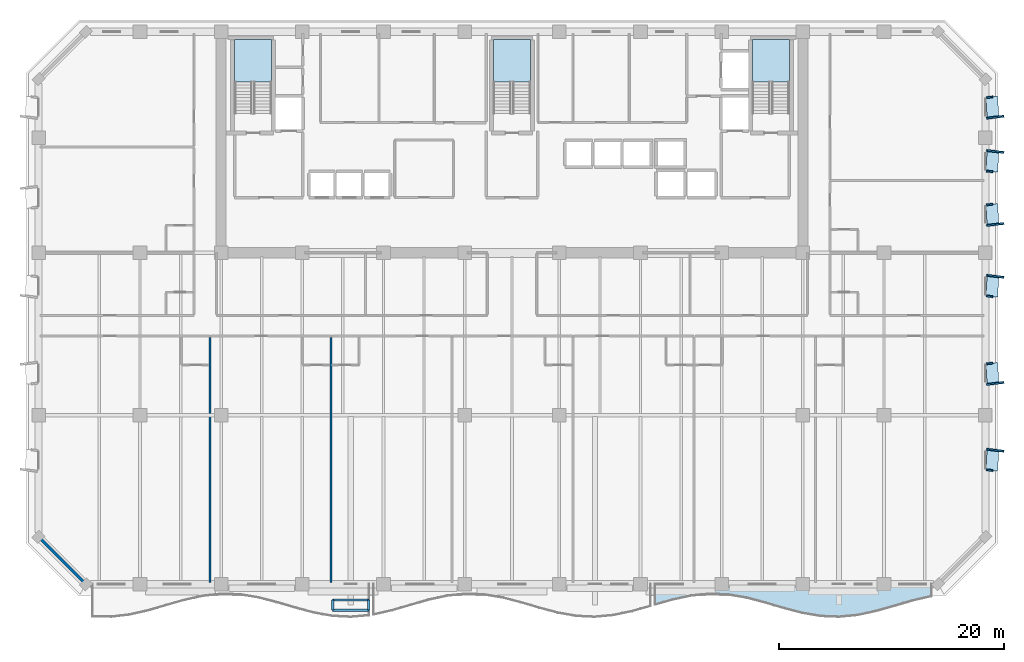
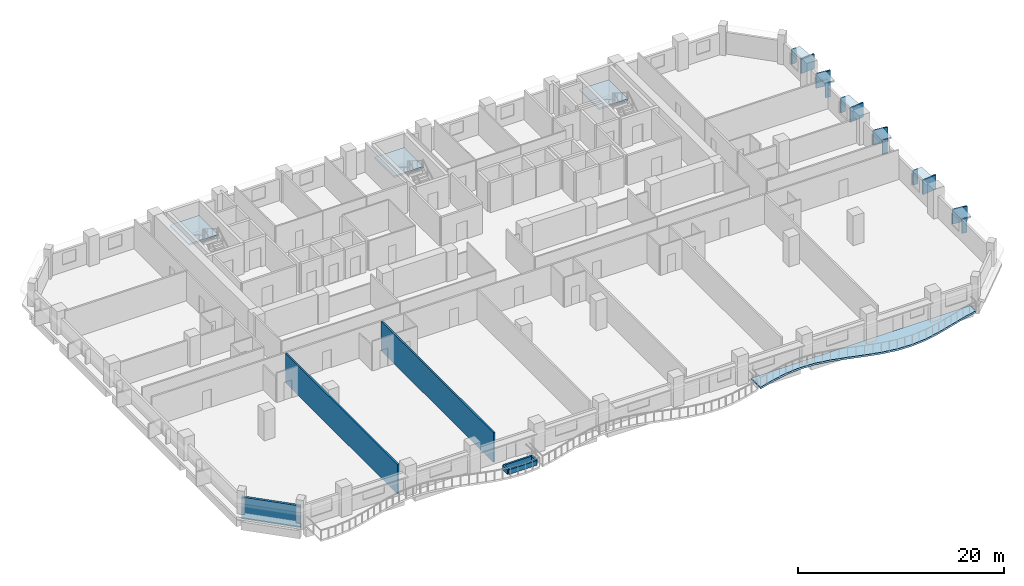
# One storey, part 3 of 15: 18 plates, 7 walls, 4 slabs, 3 elements without a shape of their own.
"""IFC4 building model written with IfcOpenShell, lengths in metres."""

from ifc_helpers import new_model, si_unit, direction, frame, frame_2d, origin, origin_2d, place, context, subcontext, project, spatial, polyline, rectangle, outline, extrude, material, layer, layer_set, type_object, element, aggregate, save


model = new_model("IFC4")

# Units and contexts
model_context = context("Model", 3, precision=1e-05, world=origin(), true_north=direction((0.0, 1.0)))
body_context = subcontext(model_context, "Body", "Model", "MODEL_VIEW")
ifc_project = project(units=[si_unit("LENGTHUNIT", "METRE"), si_unit("AREAUNIT", "SQUARE_METRE"), si_unit("VOLUMEUNIT", "CUBIC_METRE"), si_unit("PLANEANGLEUNIT", "RADIAN"), si_unit("MASSUNIT", "GRAM", prefix="KILO")], contexts=[model_context])

# Site, building, storey
site_placement = place(None, origin())
site = spatial("IfcSite", under=ifc_project, at=site_placement, CompositionType="ELEMENT")
building_placement = place(site_placement, origin())
building = spatial("IfcBuilding", under=site, at=building_placement, Name="Kaelvorn Grand Hotel", CompositionType="ELEMENT")
storey_placement = place(building_placement, frame((0.0, 0.0, 100.550048828125)))
storey = spatial("IfcBuildingStorey", under=building, at=storey_placement, Name="L23", CompositionType="ELEMENT", Elevation=100.550048828125)

# Plates
ifc_material_1 = material(Name="Precast concrete C45/55", Category="concrete")
ifc_layer_1 = layer(ifc_material_1, 0.159912109375)
ifc_layer_set_1 = layer_set([ifc_layer_1], Name="Precast concrete C45/55")
plate_type_1 = type_object("IfcPlateType", Name="PL-FRAME-DEEP-1550", PredefinedType="USERDEFINED", material=ifc_layer_set_1)
for number, where, z_axis, x_axis, name in (
    (1, (84.864990234375, 11.889892578125, 0.68994140625), (0.0, 0.0, 1.0), (0.121869343405, 0.992546151641, 0.0), "L23 Tilted Precast Window Frame Fin R-E01"),
    (2, (84.864990234375, 17.81005859375, 0.68994140625), (0.0, 0.0, 1.0), (-0.121869343405, 0.992546151641, 0.0), "L23 Tilted Precast Window Frame Fin L-E02"),
    (3, (84.864990234375, 27.31494140625, 0.68994140625), (0.0, 0.0, 1.0), (0.121869343405, 0.992546151641, 0.0), "L23 Tilted Precast Window Frame Fin R-E03"),
    (4, (84.864990234375, 31.909912109375, 0.68994140625), (0.0, 0.0, 1.0), (-0.121869343405, 0.992546151641, 0.0), "L23 Tilted Precast Window Frame Fin L-E04"),
    (5, (84.864990234375, 38.389892578125, 0.68994140625), (0.0, 0.0, 1.0), (0.121869343405, 0.992546151641, 0.0), "L23 Tilted Precast Window Frame Fin R-E05"),
    (6, (84.864990234375, 41.425048828125, 0.68994140625), (0.0, 0.0, 1.0), (-0.121869343405, 0.992546151641, 0.0), "L23 Tilted Precast Window Frame Fin L-E06"),
):
    element("IfcPlate", number, at=place(storey_placement, frame(where, z_axis=z_axis, x_axis=x_axis)), inside=storey, type_object=plate_type_1, Name=name, ObjectType="FLANGE_PLATE", PredefinedType="USERDEFINED", context=body_context, shape_type="SweptSolid", body=[
        extrude(rectangle(XDim=0.159912109375, YDim=1.550048828125, at=origin_2d()), origin(), (0.0, 0.0, 1.0), 1.719970703125),
    ])
ifc_layer_2 = layer(ifc_material_1, 0.159912109375)
ifc_layer_set_2 = layer_set([ifc_layer_2], Name="Precast concrete C45/55")
plate_type_2 = type_object("IfcPlateType", Name="PL-FRAME-HEAD-1050", PredefinedType="USERDEFINED", material=ifc_layer_set_2)
for number, where, z_axis, x_axis, name in (
    (7, (84.614990234375, 11.0, 2.25), (0.0, 0.0, 1.0), (0.054950179912, 0.998489097451, 0.0), "L23 Precast Window Frame Head Hood H-E01"),
    (8, (84.614990234375, 18.699951171875, 2.25), (0.0, 0.0, 1.0), (-0.054950179912, 0.998489097451, 0.0), "L23 Precast Window Frame Head Hood H-E02"),
    (9, (84.614990234375, 26.425048828125, 2.25), (0.0, 0.0, 1.0), (0.054950179912, 0.998489097451, 0.0), "L23 Precast Window Frame Head Hood H-E03"),
    (10, (84.614990234375, 32.800048828125, 2.25), (0.0, 0.0, 1.0), (-0.054950179912, 0.998489097451, 0.0), "L23 Precast Window Frame Head Hood H-E04"),
    (11, (84.614990234375, 37.5, 2.25), (0.0, 0.0, 1.0), (0.054950179912, 0.998489097451, 0.0), "L23 Precast Window Frame Head Hood H-E05"),
    (12, (84.614990234375, 42.31494140625, 2.25), (0.0, 0.0, 1.0), (-0.054950179912, 0.998489097451, 0.0), "L23 Precast Window Frame Head Hood H-E06"),
):
    element("IfcPlate", number, at=place(storey_placement, frame(where, z_axis=z_axis, x_axis=x_axis)), inside=storey, type_object=plate_type_2, Name=name, ObjectType="FLANGE_PLATE", PredefinedType="USERDEFINED", context=body_context, shape_type="SweptSolid", body=[
        extrude(rectangle(XDim=1.860107421875, YDim=1.050048828125, at=origin_2d()), origin(), (0.0, 0.0, 1.0), 0.159912109375),
    ])
ifc_layer_3 = layer(ifc_material_1, 0.159912109375)
ifc_layer_set_3 = layer_set([ifc_layer_3], Name="Precast concrete C45/55")
plate_type_3 = type_object("IfcPlateType", Name="PL-FRAME-SHAL-550", PredefinedType="USERDEFINED", material=ifc_layer_set_3)
for number, where, z_axis, x_axis, name in (
    (13, (84.364990234375, 10.110107421875, 0.68994140625), (0.0, 0.0, 1.0), (0.121869343405, 0.992546151641, 0.0), "L23 Tilted Precast Window Frame Fin L-E01"),
    (14, (84.364990234375, 19.590087890625, 0.68994140625), (0.0, 0.0, 1.0), (-0.121869343405, 0.992546151641, 0.0), "L23 Tilted Precast Window Frame Fin R-E02"),
    (15, (84.364990234375, 25.534912109375, 0.68994140625), (0.0, 0.0, 1.0), (0.121869343405, 0.992546151641, 0.0), "L23 Tilted Precast Window Frame Fin L-E03"),
    (16, (84.364990234375, 33.68994140625, 0.68994140625), (0.0, 0.0, 1.0), (-0.121869343405, 0.992546151641, 0.0), "L23 Tilted Precast Window Frame Fin R-E04"),
    (17, (84.364990234375, 36.610107421875, 0.68994140625), (0.0, 0.0, 1.0), (0.121869343405, 0.992546151641, 0.0), "L23 Tilted Precast Window Frame Fin L-E05"),
    (18, (84.364990234375, 43.205078125, 0.68994140625), (0.0, 0.0, 1.0), (-0.121869343405, 0.992546151641, 0.0), "L23 Tilted Precast Window Frame Fin R-E06"),
):
    element("IfcPlate", number, at=place(storey_placement, frame(where, z_axis=z_axis, x_axis=x_axis)), inside=storey, type_object=plate_type_3, Name=name, ObjectType="FLANGE_PLATE", PredefinedType="USERDEFINED", context=body_context, shape_type="SweptSolid", body=[
        extrude(rectangle(XDim=0.159912109375, YDim=0.550048828125, at=origin_2d()), origin(), (0.0, 0.0, 1.0), 1.719970703125),
    ])

# Slab
ifc_material_2 = material(Name="Concrete C40/50", Category="concrete")
ifc_layer_4 = layer(ifc_material_2, 0.219970703125)
ifc_layer_set_4 = layer_set([ifc_layer_4], Name="Concrete C40/50")
slab_type_1 = type_object("IfcSlabType", Name="SLB-BALC-220-C40", PredefinedType="FLOOR", material=ifc_layer_set_4)
slab_1_placement = place(storey_placement, frame((0.0, 0.0, -0.219970703125)))
element("IfcSlab", 19, at=slab_1_placement, inside=storey, type_object=slab_type_1, Name="L23 Scalloped Wave Balcony Slab 3", PredefinedType="FLOOR", context=body_context, shape_type="SweptSolid", body=[
    extrude(outline(polyline([(54.666748046875, -1.8193359375), (56.30224609375, -1.356689453125), (57.937744140625, -1.00927734375), (59.5732421875, -0.85400390625), (61.208984375, -0.925537109375), (62.844482421875, -1.2080078125), (64.47998046875, -1.638671875), (66.115478515625, -2.12158203125), (67.751220703125, -2.550048828125), (69.38671875, -2.828369140625), (71.022216796875, -2.89501953125), (72.65771484375, -2.735107421875), (74.293212890625, -2.384033203125), (75.928955078125, -1.919921875), (77.564453125, -1.446044921875), (79.199951171875, -1.0673828125), (79.199951171875, 0.0), (54.666748046875, 0.0), (54.666748046875, -1.8193359375)])), origin(), (0.0, 0.0, 1.0), 0.219970703125),
])

# Stair, slab
stair_type = type_object("IfcStairType", Name="STR-DOG-1560-R06", PredefinedType="HALF_TURN_STAIR", material=ifc_material_2)
stair_1_placement = place(storey_placement, origin())
stair_1 = element("IfcStair", 20, at=stair_1_placement, inside=storey, type_object=stair_type, Name="L23 West Core Exit Stair ST1", PredefinedType="HALF_TURN_STAIR")
ifc_layer_5 = layer(ifc_material_2, 0.199951171875)
ifc_layer_set_5 = layer_set([ifc_layer_5], Name="Concrete C40/50")
slab_type_2 = type_object("IfcSlabType", Name="SLB-LAND-200-C40", PredefinedType="LANDING", material=ifc_layer_set_5)
slab_2_placement = place(storey_placement, frame((0.0, 0.0, 1.675048828125)))
slab_2 = element("IfcSlab", 21, at=slab_2_placement, type_object=slab_type_2, Name="ST1 landing 1", PredefinedType="LANDING", context=body_context, shape_type="SweptSolid", body=[
    extrude(outline(polyline([(20.679931640625, 44.56005859375), (20.679931640625, 48.300048828125), (17.39990234375, 48.300048828125), (17.39990234375, 44.56005859375), (20.679931640625, 44.56005859375)])), origin(), (0.0, 0.0, 1.0), 0.199951171875),
])
aggregate(stair_1, [slab_2])

stair_2_placement = place(storey_placement, origin())
stair_2 = element("IfcStair", 22, at=stair_2_placement, inside=storey, type_object=stair_type, Name="L23 Central Core Exit Stair ST2", PredefinedType="HALF_TURN_STAIR")
slab_3_placement = place(storey_placement, frame((0.0, 0.0, 1.675048828125)))
slab_3 = element("IfcSlab", 23, at=slab_3_placement, type_object=slab_type_2, Name="ST2 landing 1", PredefinedType="LANDING", context=body_context, shape_type="SweptSolid", body=[
    extrude(outline(polyline([(43.639892578125, 44.56005859375), (43.639892578125, 48.300048828125), (40.360107421875, 48.300048828125), (40.360107421875, 44.56005859375), (43.639892578125, 44.56005859375)])), origin(), (0.0, 0.0, 1.0), 0.199951171875),
])
aggregate(stair_2, [slab_3])

stair_3_placement = place(storey_placement, origin())
stair_3 = element("IfcStair", 24, at=stair_3_placement, inside=storey, type_object=stair_type, Name="L23 East Core Exit Stair ST3", PredefinedType="HALF_TURN_STAIR")
slab_4_placement = place(storey_placement, frame((0.0, 0.0, 1.675048828125)))
slab_4 = element("IfcSlab", 25, at=slab_4_placement, type_object=slab_type_2, Name="ST3 landing 1", PredefinedType="LANDING", context=body_context, shape_type="SweptSolid", body=[
    extrude(outline(polyline([(66.60009765625, 44.56005859375), (66.60009765625, 48.300048828125), (63.320068359375, 48.300048828125), (63.320068359375, 44.56005859375), (66.60009765625, 44.56005859375)])), origin(), (0.0, 0.0, 1.0), 0.199951171875),
])
aggregate(stair_3, [slab_4])

# Walls
ifc_layer_6 = layer(ifc_material_2, 0.260009765625)
ifc_layer_set_6 = layer_set([ifc_layer_6], Name="Concrete C40/50")
wall_type_1 = type_object("IfcWallType", Name="WL-EXT-260-C40", PredefinedType="SOLIDWALL", material=ifc_layer_set_6)
wall_1_placement = place(storey_placement, frame((0.0, 4.199951171875, 0.0), z_axis=(0.0, 0.0, 1.0), x_axis=(0.707106781187, -0.707106781187, 0.0)))
element("IfcWall", 26, at=wall_1_placement, inside=storey, type_object=wall_type_1, Name="L23 Exterior Architectural Concrete Wall 08", PredefinedType="SOLIDWALL", context=body_context, shape_type="SweptSolid", body=[
    extrude(rectangle(XDim=5.939697265625, YDim=0.260009765625, at=frame_2d((2.9697265625, 0.0))), origin(), (0.0, 0.0, 1.0), 2.56005859375),
])
ifc_material_3 = material(Name="Acoustic Gypsum & Stud Partition")
ifc_layer_7 = layer(ifc_material_3, 0.179931640625)
ifc_layer_set_7 = layer_set([ifc_layer_7], Name="Acoustic Gypsum & Stud Partition")
wall_type_2 = type_object("IfcWallType", Name="WL-PART-180-EI60", PredefinedType="PARTITIONING", material=ifc_layer_set_7)
for number, where, z_axis, x_axis, name in (
    (27, (15.19287109375, 0.14990234375, 0.0), (0.0, 0.0, 1.0), (0.0, 1.0, 0.0), "L23 Presidential Sky Suite L23-01 E Partition"),
    (28, (25.935791015625, 0.14990234375, 0.0), (0.0, 0.0, 1.0), (0.0, 1.0, 0.0), "L23 Deluxe Panoramic Suite L23-02 E Partition"),
):
    element("IfcWall", number, at=place(storey_placement, frame(where, z_axis=z_axis, x_axis=x_axis)), inside=storey, type_object=wall_type_2, Name=name, PredefinedType="PARTITIONING", context=body_context, shape_type="SweptSolid", body=[
        extrude(rectangle(XDim=21.755126953125, YDim=0.179931640625, at=frame_2d((10.87744140625, 0.0))), origin(), (0.0, 0.0, 1.0), 3.510009765625),
    ])
ifc_layer_8 = layer(ifc_material_2, 0.199951171875)
ifc_layer_set_8 = layer_set([ifc_layer_8], Name="Concrete C40/50")
wall_type_3 = type_object("IfcWallType", Name="WL-TREE-PLANTER-200", PredefinedType="PARAPET", material=ifc_layer_set_8)
wall_2_placement = place(storey_placement, frame((26.09765625, -2.300048828125, 0.0), z_axis=(0.0, 0.0, 1.0), x_axis=(1.0, 0.0, 0.0)))
element("IfcWall", 29, at=wall_2_placement, inside=storey, type_object=wall_type_3, Name="L23 Planted Balcony Structural TREE PLANTER Kerb 1-S", PredefinedType="PARAPET", context=body_context, shape_type="SweptSolid", body=[
    extrude(rectangle(XDim=3.2001953125, YDim=0.199951171875, at=frame_2d((1.60009765625, 0.0))), origin(), (0.0, 0.0, 1.0), 0.550048828125),
])
wall_3_placement = place(storey_placement, frame((29.2978515625, -2.300048828125, 0.0), z_axis=(0.0, 0.0, 1.0), x_axis=(0.0, 1.0, 0.0)))
element("IfcWall", 30, at=wall_3_placement, inside=storey, type_object=wall_type_3, Name="L23 Planted Balcony Structural TREE PLANTER Kerb 1-E", PredefinedType="PARAPET", context=body_context, shape_type="SweptSolid", body=[
    extrude(rectangle(XDim=0.900146484375, YDim=0.199951171875, at=frame_2d((0.4501953125, 0.0))), origin(), (0.0, 0.0, 1.0), 0.550048828125),
])
wall_4_placement = place(storey_placement, frame((29.2978515625, -1.39990234375, 0.0), z_axis=(0.0, 0.0, 1.0), x_axis=(-1.0, 0.0, 0.0)))
element("IfcWall", 31, at=wall_4_placement, inside=storey, type_object=wall_type_3, Name="L23 Planted Balcony Structural TREE PLANTER Kerb 1-N", PredefinedType="PARAPET", context=body_context, shape_type="SweptSolid", body=[
    extrude(rectangle(XDim=3.2001953125, YDim=0.199951171875, at=frame_2d((1.60009765625, 0.0))), origin(), (0.0, 0.0, 1.0), 0.550048828125),
])
wall_5_placement = place(storey_placement, frame((26.09765625, -1.39990234375, 0.0), z_axis=(0.0, 0.0, 1.0), x_axis=(0.0, -1.0, 0.0)))
element("IfcWall", 32, at=wall_5_placement, inside=storey, type_object=wall_type_3, Name="L23 Planted Balcony Structural TREE PLANTER Kerb 1-W", PredefinedType="PARAPET", context=body_context, shape_type="SweptSolid", body=[
    extrude(rectangle(XDim=0.900146484375, YDim=0.199951171875, at=frame_2d((0.4501953125, 0.0))), origin(), (0.0, 0.0, 1.0), 0.550048828125),
])

save(model, "model.ifc")
